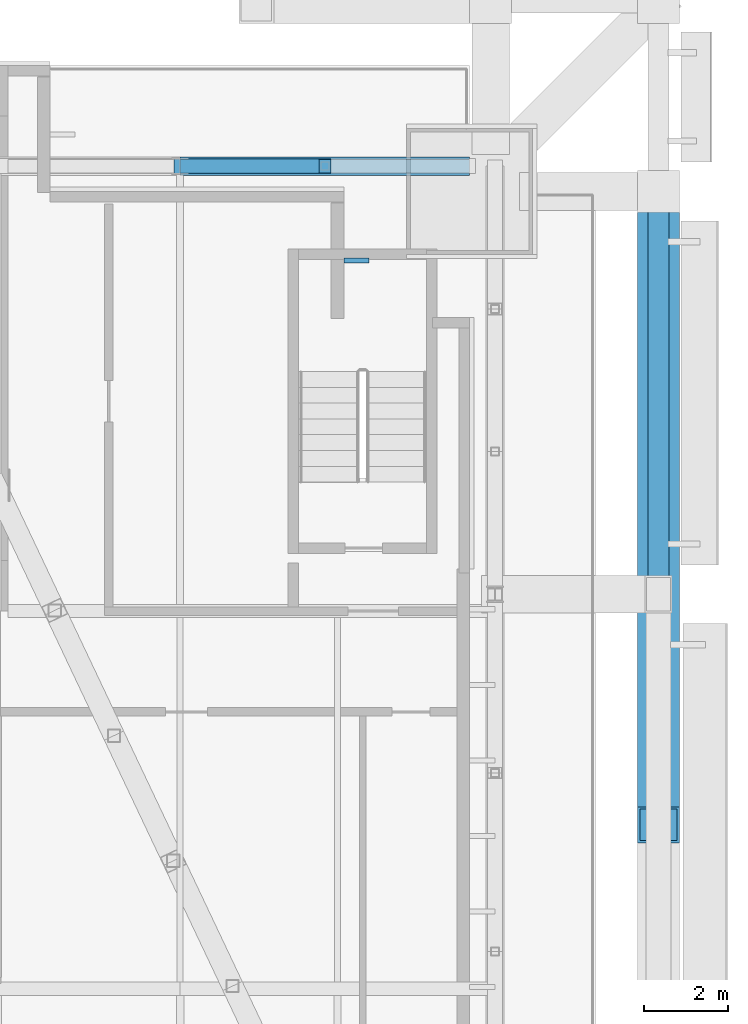
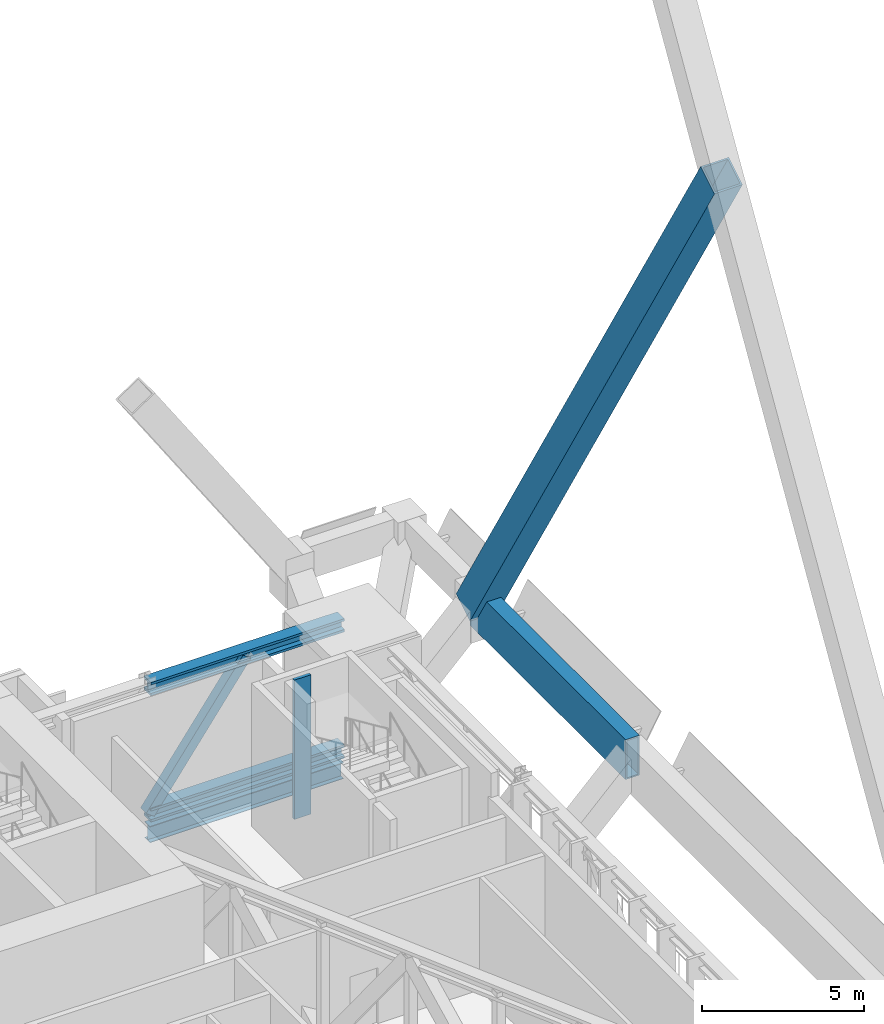
# One storey, part 18 of 32: 5 members, 2 beams, 1 element without a shape of its own.
"""IFC4 building model written with IfcOpenShell, lengths in metres."""

from ifc_helpers import new_model, si_unit, direction, frame, origin, origin_2d, place, context, subcontext, project, spatial, rectangle, hollow_rectangle, i_section, extrude, material, material_profile, profile_set, type_object, element, aggregate, save


model = new_model("IFC4")

# Units and contexts
model_context = context("Model", 3, precision=1e-05, world=origin(), true_north=direction((0.0, 1.0)))
body_context = subcontext(model_context, "Body", "Model", "MODEL_VIEW")
ifc_project = project(units=[si_unit("LENGTHUNIT", "METRE"), si_unit("AREAUNIT", "SQUARE_METRE"), si_unit("VOLUMEUNIT", "CUBIC_METRE"), si_unit("PLANEANGLEUNIT", "RADIAN"), si_unit("MASSUNIT", "GRAM", prefix="KILO")], contexts=[model_context])

# Site, building, storey
site_placement = place(None, origin())
site = spatial("IfcSite", under=ifc_project, at=site_placement, CompositionType="ELEMENT")
building_placement = place(site_placement, origin())
building = spatial("IfcBuilding", under=site, at=building_placement, Name="Bicima Exchange Tower", CompositionType="ELEMENT")
storey_placement = place(building_placement, frame((0.0, 0.0, 135.0)))
storey = spatial("IfcBuildingStorey", under=building, at=storey_placement, Name="L29", CompositionType="ELEMENT", Elevation=135.0)

# Curtain wall, member
ifc_material_1 = material(Name="Anodised bronze aluminium", Category="aluminium")
curtain_wall_type = type_object("IfcCurtainWallType", Name="Band blade screen", PredefinedType="NOTDEFINED", material=ifc_material_1)
curtain_wall_placement = place(storey_placement, origin())
curtain_wall = element("IfcCurtainWall", 1, at=curtain_wall_placement, inside=storey, type_object=curtain_wall_type, Name="Band blade screen L29", PredefinedType="NOTDEFINED")
ifc_material_profile_1 = material_profile(ifc_material_1, rectangle(XDim=0.60009765625, YDim=0.1201171875, at=origin_2d()))
ifc_profile_set_1 = profile_set([ifc_material_profile_1], Name="Anodised bronze aluminium")
member_type_1 = type_object("IfcMemberType", Name="Band blade fin 600 x 120", PredefinedType="USERDEFINED", material=ifc_profile_set_1)
member_1_placement = place(storey_placement, frame((30.300048828125, -4.64990234375, 0.0), z_axis=(0.0, 0.0, 1.0), x_axis=(-1.0, 0.0, 0.0)))
member_1 = element("IfcMember", 2, at=member_1_placement, type_object=member_type_1, Name="Band blade fin 11", ObjectType="FIN", PredefinedType="USERDEFINED", context=body_context, shape_type="SweptSolid", body=[
    extrude(rectangle(XDim=0.60009765625, YDim=0.1201171875, at=origin_2d()), origin(), (0.0, 0.0, 1.0), 5.25),
])
aggregate(curtain_wall, [member_1])

# Beam
ifc_material_2 = material(Name="Steel ASTM A572 Gr 50", Category="steel")
ifc_material_profile_2 = material_profile(ifc_material_2, hollow_rectangle(XDim=0.5, YDim=1.5, WallThickness=0.050048828125, at=origin_2d()))
ifc_profile_set_2 = profile_set([ifc_material_profile_2], Name="Steel ASTM A572 Gr 50")
beam_type_1 = type_object("IfcBeamType", Name="Belt girder BOX 500x1500x50", PredefinedType="BEAM", material=ifc_profile_set_2)
beam_1_placement = place(storey_placement, frame((37.5, -12.60009765625, 4.5), z_axis=(0.0, 1.0, 0.0), x_axis=(-1.0, 0.0, 0.0)))
element("IfcBeam", 3, at=beam_1_placement, inside=storey, type_object=beam_type_1, Name="Belt girder", PredefinedType="BEAM", context=body_context, shape_type="SweptSolid", body=[
    extrude(hollow_rectangle(XDim=0.5, YDim=1.5, WallThickness=0.050048828125, at=origin_2d()), origin(), (0.0, 0.0, 1.0), 9.60009765625),
])

# Members
ifc_material_3 = material(Name="Steel ASTM A992 Gr 50", Category="steel")
ifc_material_profile_3 = material_profile(ifc_material_3, i_section(OverallWidth=0.431884765625, OverallDepth=0.497802734375, WebThickness=0.0556640625, FlangeThickness=0.0888671875, at=origin_2d()))
ifc_profile_set_3 = profile_set([ifc_material_profile_3], Name="Steel ASTM A992 Gr 50")
member_type_2 = type_object("IfcMemberType", Name="Belt truss chord W14x500", PredefinedType="CHORD", material=ifc_profile_set_3)
for number, where, z_axis, x_axis, name in (
    (4, (26.10009765625, -2.39990234375, 5.001220703125), (1.0, 0.0, 0.0), (0.0, 1.0, 0.0), "Top chord"),
    (5, (26.10009765625, -2.39990234375, 0.248779296875), (1.0, 0.0, 0.0), (0.0, 1.0, 0.0), "Bottom chord"),
):
    element("IfcMember", number, at=place(storey_placement, frame(where, z_axis=z_axis, x_axis=x_axis)), inside=storey, type_object=member_type_2, Name=name, PredefinedType="CHORD", context=body_context, shape_type="SweptSolid", body=[
        extrude(i_section(OverallWidth=0.431884765625, OverallDepth=0.497802734375, WebThickness=0.0556640625, FlangeThickness=0.0888671875, at=origin_2d()), origin(), (0.0, 0.0, 1.0), 6.89990234375),
    ])
ifc_material_profile_4 = material_profile(ifc_material_2, hollow_rectangle(XDim=0.355712890625, YDim=0.355712890625, WallThickness=0.0146484375, at=origin_2d()))
ifc_profile_set_4 = profile_set([ifc_material_profile_4], Name="Steel ASTM A572 Gr 50")
member_type_3 = type_object("IfcMemberType", Name="Belt truss diagonal HSS14x14x5/8", PredefinedType="STRUT", material=ifc_profile_set_4)
member_2_placement = place(storey_placement, frame((26.10009765625, -2.39990234375, 0.248779296875), z_axis=(0.587462041023, 0.0, 0.809251722493), x_axis=(0.0, 1.0, 0.0)))
element("IfcMember", 6, at=member_2_placement, inside=storey, type_object=member_type_3, Name="Truss diagonal", PredefinedType="STRUT", context=body_context, shape_type="SweptSolid", body=[
    extrude(hollow_rectangle(XDim=0.355712890625, YDim=0.355712890625, WallThickness=0.0146484375, at=origin_2d()), origin(), (0.0, 0.0, 1.0), 5.87255859375),
])
ifc_material_profile_5 = material_profile(ifc_material_2, hollow_rectangle(XDim=1.0, YDim=1.0, WallThickness=0.06005859375, at=origin_2d()))
ifc_profile_set_5 = profile_set([ifc_material_profile_5], Name="Steel ASTM A572 Gr 50")
member_type_4 = type_object("IfcMemberType", Name="Exo mega brace BOX 1000x1000x60", PredefinedType="BRACE", material=ifc_profile_set_5)
member_3_placement = place(storey_placement, frame((37.5, -3.0, 4.5), z_axis=(0.0, -0.513052396065, 0.858357290929), x_axis=(1.0, 0.0, 0.0)))
element("IfcMember", 7, at=member_3_placement, inside=storey, type_object=member_type_4, Name="Exo mega brace end", PredefinedType="BRACE", context=body_context, shape_type="SweptSolid", body=[
    extrude(hollow_rectangle(XDim=1.0, YDim=1.0, WallThickness=0.06005859375, at=origin_2d()), origin(), (0.0, 0.0, 1.0), 29.416748046875),
])

# Beam
ifc_material_profile_6 = material_profile(ifc_material_3, i_section(OverallWidth=0.3251953125, OverallDepth=0.612060546875, WebThickness=0.0126953125, FlangeThickness=0.01904296875, at=origin_2d()))
ifc_profile_set_6 = profile_set([ifc_material_profile_6], Name="Steel ASTM A992 Gr 50")
beam_type_2 = type_object("IfcBeamType", Name="Rear girder W24x104", PredefinedType="BEAM", material=ifc_profile_set_6)
beam_2_placement = place(storey_placement, frame((26.10009765625, -2.39990234375, -0.506103515625), z_axis=(1.0, 0.0, 0.0), x_axis=(0.0, 1.0, 0.0)))
element("IfcBeam", 8, at=beam_2_placement, inside=storey, type_object=beam_type_2, Name="Rear girder", PredefinedType="BEAM", context=body_context, shape_type="SweptSolid", body=[
    extrude(i_section(OverallWidth=0.3251953125, OverallDepth=0.612060546875, WebThickness=0.0126953125, FlangeThickness=0.01904296875, at=origin_2d()), origin(), (0.0, 0.0, 1.0), 6.89990234375),
])

save(model, "model.ifc")
